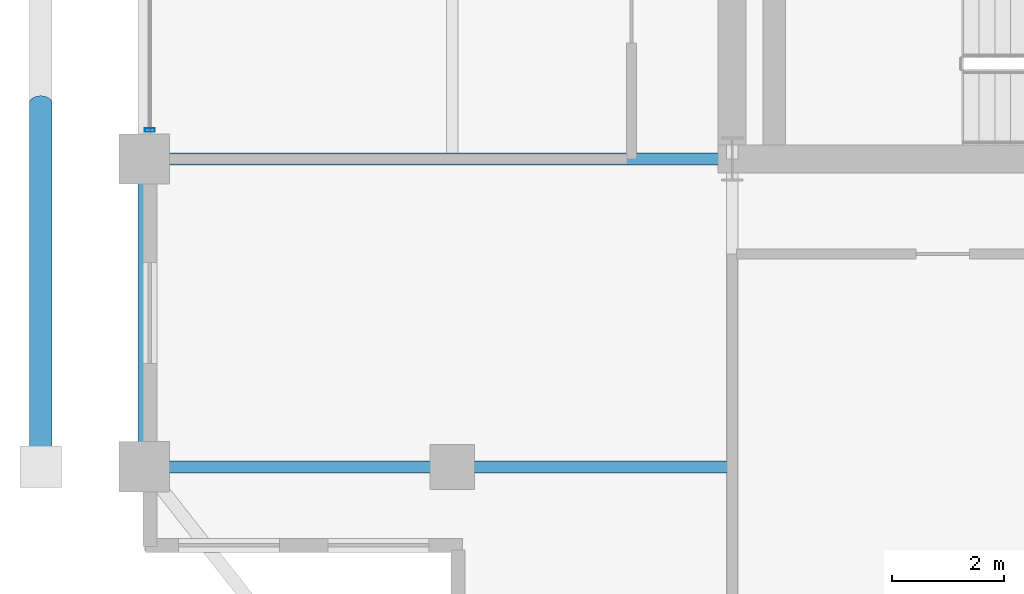
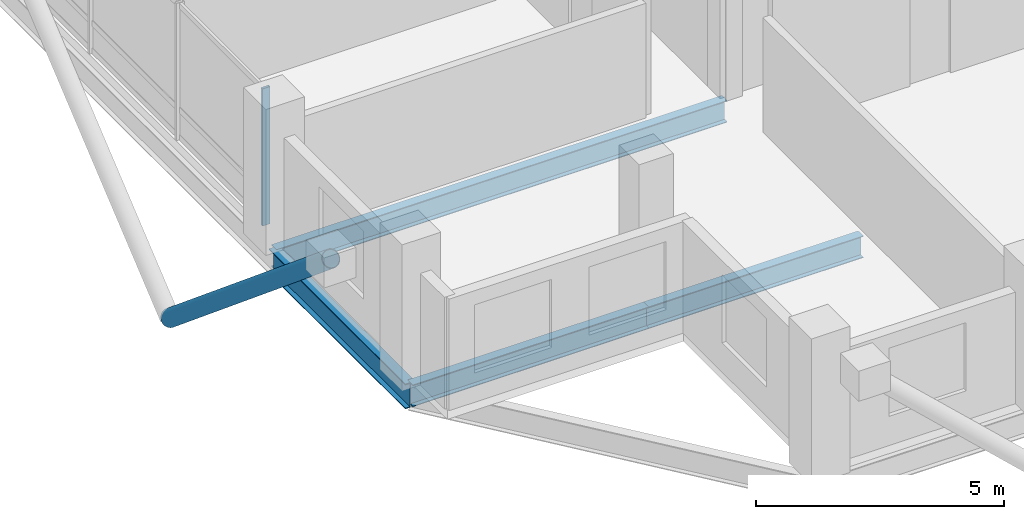
# One storey, part 3 of 22: 4 beams, 2 members, 1 element without a shape of its own.
"""IFC4 building model written with IfcOpenShell, lengths in metres."""

from ifc_helpers import new_model, si_unit, direction, frame, origin, origin_2d, place, context, subcontext, project, spatial, hollow_rectangle, hollow_circle, i_section, extrude, material, layer, layer_set, material_profile, profile_set, type_object, element, aggregate, save


model = new_model("IFC4")

# Units and contexts
model_context = context("Model", 3, precision=1e-05, world=origin(), true_north=direction((0.0, 1.0)))
body_context = subcontext(model_context, "Body", "Model", "MODEL_VIEW")
ifc_project = project(units=[si_unit("LENGTHUNIT", "METRE"), si_unit("AREAUNIT", "SQUARE_METRE"), si_unit("VOLUMEUNIT", "CUBIC_METRE"), si_unit("PLANEANGLEUNIT", "RADIAN"), si_unit("MASSUNIT", "GRAM", prefix="KILO")], contexts=[model_context])

# Site, building, storey
site_placement = place(None, origin())
site = spatial("IfcSite", under=ifc_project, at=site_placement, CompositionType="ELEMENT")
building_placement = place(site_placement, origin())
building = spatial("IfcBuilding", under=site, at=building_placement, Name="Barlavira Tower and Art Museum", CompositionType="ELEMENT")
storey_placement = place(building_placement, frame((0.0, 0.0, 258.300048828125)))
storey = spatial("IfcBuildingStorey", under=building, at=storey_placement, Name="L67", CompositionType="ELEMENT", Elevation=258.300048828125)

# Curtain wall, member
ifc_material_1 = material(Name="Low-iron coastal laminated glass", Category="glass")
ifc_layer = layer(ifc_material_1, 0.2099609375, Name="Low-iron coastal laminated glass")
ifc_layer_set = layer_set([ifc_layer], Name="Low-iron coastal laminated glass")
curtain_wall_type = type_object("IfcCurtainWallType", Name="Pale-Metal Unitised Curtain Wall Zone 4", PredefinedType="NOTDEFINED", material=ifc_layer_set)
curtain_wall_placement = place(storey_placement, origin())
curtain_wall = element("IfcCurtainWall", 1, at=curtain_wall_placement, inside=storey, type_object=curtain_wall_type, Name="L67 Curtain Wall CW4-L67-W-B3", PredefinedType="NOTDEFINED")
ifc_material_2 = material(Name="Pale anodised aluminium", Category="aluminium")
ifc_material_profile_1 = material_profile(ifc_material_2, hollow_rectangle(XDim=0.06494140625, YDim=0.179931640625, WallThickness=0.00390625, at=origin_2d()), Name="ALU-MULL 65x180x4")
ifc_profile_set_1 = profile_set([ifc_material_profile_1], Name="Pale anodised aluminium")
member_type_1 = type_object("IfcMemberType", Name="Curtain Wall Pale-Metal Mullion 65x180", PredefinedType="MULLION", material=ifc_profile_set_1)
member_1_placement = place(storey_placement, frame((-16.89990234375, -6.985107421875, 0.0), z_axis=(0.0, 0.0, 1.0), x_axis=(0.0, -1.0, 0.0)))
member_1 = element("IfcMember", 2, at=member_1_placement, type_object=member_type_1, Name="CW4-L67-W-B3 Mullion 4", PredefinedType="MULLION", context=body_context, shape_type="SweptSolid", body=[
    extrude(hollow_rectangle(XDim=0.06494140625, YDim=0.179931640625, WallThickness=0.00390625, at=origin_2d()), origin(), (0.0, 0.0, 1.0), 3.3798828125),
])
aggregate(curtain_wall, [member_1])

# Member
ifc_material_3 = material(Name="Steel S355", Category="steel")
ifc_material_profile_2 = material_profile(ifc_material_3, hollow_circle(Radius=0.203125, WallThickness=0.01611328125, at=origin_2d()), Name="CHS 406.4x16.0")
ifc_profile_set_2 = profile_set([ifc_material_profile_2], Name="Steel S355")
member_type_2 = type_object("IfcMemberType", Name="Pale-Metal Exoskeleton Diagrid Tube CHS 406x16 Steel S355", PredefinedType="BRACE", material=ifc_profile_set_2)
member_2_placement = place(storey_placement, frame((-18.85009765625, -6.5, -1.920166015625), z_axis=(0.0, -0.76918185268, 0.639029950399), x_axis=(1.0, 0.0, 0.0)))
element("IfcMember", 3, at=member_2_placement, inside=storey, type_object=member_type_2, Name="L67 Exoskeleton Diagrid Tube W", PredefinedType="BRACE", context=body_context, shape_type="SweptSolid", body=[
    extrude(hollow_circle(Radius=0.203125, WallThickness=0.01611328125, at=origin_2d()), origin(), (0.0, 0.0, 1.0), 8.450439453125),
])

# Beams
ifc_material_profile_3 = material_profile(ifc_material_3, i_section(OverallWidth=0.22998046875, OverallDepth=0.616943359375, WebThickness=0.01318359375, FlangeThickness=0.022216796875, at=origin_2d()), Name="W610x140.0")
ifc_profile_set_3 = profile_set([ifc_material_profile_3], Name="Steel S355")
beam_type_1 = type_object("IfcBeamType", Name="Upper Shaft Spandrel Edge Beam W610x140 Steel S355", PredefinedType="SPANDREL", material=ifc_profile_set_3)
beam_1_placement = place(storey_placement, frame((-17.0, -13.0, -0.528564453125), z_axis=(0.0, 1.0, 0.0), x_axis=(-1.0, 0.0, 0.0)))
element("IfcBeam", 4, at=beam_1_placement, inside=storey, type_object=beam_type_1, Name="L67 Spandrel 15", PredefinedType="SPANDREL", context=body_context, shape_type="SweptSolid", body=[
    extrude(i_section(OverallWidth=0.22998046875, OverallDepth=0.616943359375, WebThickness=0.01318359375, FlangeThickness=0.022216796875, at=origin_2d()), origin(), (0.0, 0.0, 1.0), 5.5),
])
ifc_material_profile_4 = material_profile(ifc_material_3, i_section(OverallWidth=0.2109375, OverallDepth=0.5390625, WebThickness=0.01171875, FlangeThickness=0.018798828125, at=origin_2d()), Name="W530x109.0")
ifc_profile_set_4 = profile_set([ifc_material_profile_4], Name="Steel S355")
beam_type_2 = type_object("IfcBeamType", Name="Zone 3-4 Primary Floor Girder W530x109 Steel S355", PredefinedType="BEAM", material=ifc_profile_set_4)
beam_2_placement = place(storey_placement, frame((-17.0, -7.5, -0.489501953125), z_axis=(1.0, 0.0, 0.0), x_axis=(0.0, 1.0, 0.0)))
element("IfcBeam", 5, at=beam_2_placement, inside=storey, type_object=beam_type_2, Name="L67 Girder R-W1", PredefinedType="BEAM", context=body_context, shape_type="SweptSolid", body=[
    extrude(i_section(OverallWidth=0.2109375, OverallDepth=0.5390625, WebThickness=0.01171875, FlangeThickness=0.018798828125, at=origin_2d()), origin(), (0.0, 0.0, 1.0), 10.5),
])
beam_3_placement = place(storey_placement, frame((-17.0, -13.0, -0.489501953125), z_axis=(1.0, 0.0, 0.0), x_axis=(0.0, 1.0, 0.0)))
element("IfcBeam", 6, at=beam_3_placement, inside=storey, type_object=beam_type_2, Name="L67 Girder I-S1", PredefinedType="BEAM", context=body_context, shape_type="SweptSolid", body=[
    extrude(i_section(OverallWidth=0.2109375, OverallDepth=0.5390625, WebThickness=0.01171875, FlangeThickness=0.018798828125, at=origin_2d()), origin(), (0.0, 0.0, 1.0), 5.5),
])
beam_4_placement = place(storey_placement, frame((-11.5, -13.0, -0.489501953125), z_axis=(1.0, 0.0, 0.0), x_axis=(0.0, 1.0, 0.0)))
element("IfcBeam", 7, at=beam_4_placement, inside=storey, type_object=beam_type_2, Name="L67 Girder I-S2", PredefinedType="BEAM", context=body_context, shape_type="SweptSolid", body=[
    extrude(i_section(OverallWidth=0.2109375, OverallDepth=0.5390625, WebThickness=0.01171875, FlangeThickness=0.018798828125, at=origin_2d()), origin(), (0.0, 0.0, 1.0), 5.0),
])

save(model, "model.ifc")
